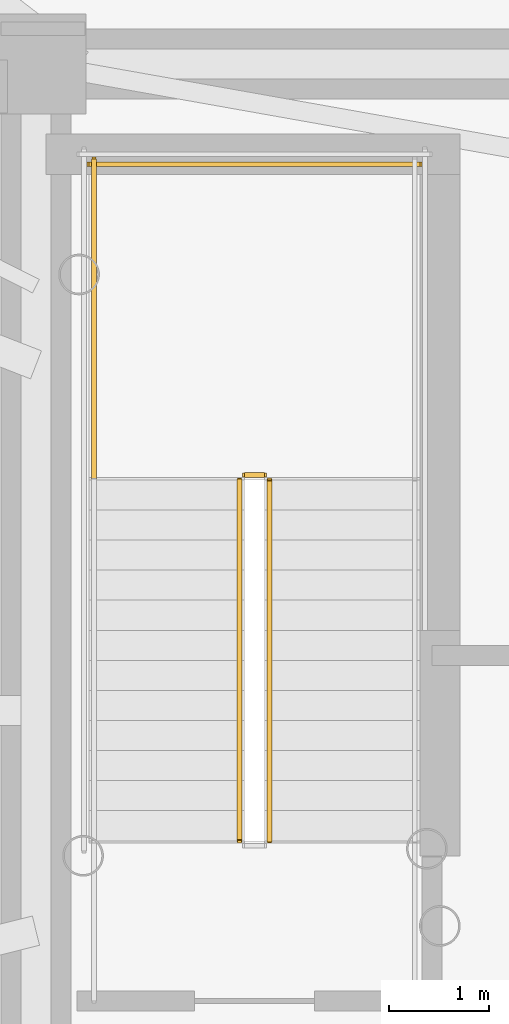
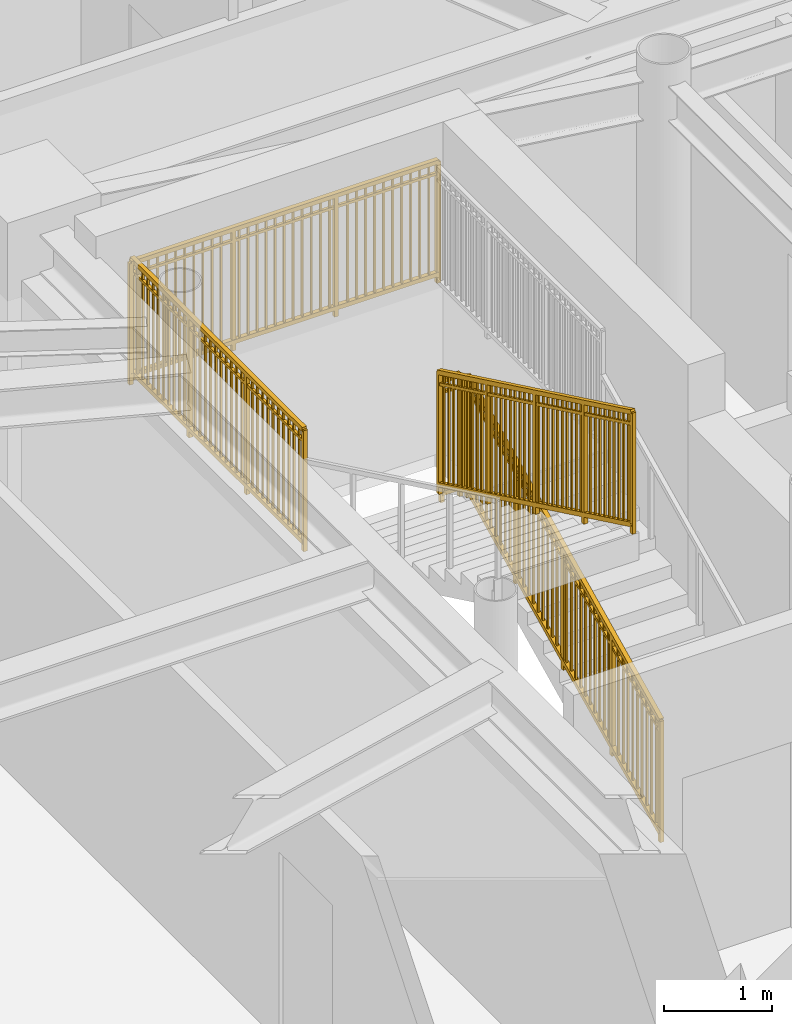
# One storey, part 14 of 17: 5 railings.
"""IFC4 building model written with IfcOpenShell, lengths in metres."""

import ifcopenshell
import ifcopenshell.guid

model = None  # the IFC model being written
_history = None  # IfcOwnerHistory: only IFC2X3 demands one
_inside = {}  # id of a spatial element -> (the spatial element, [elements in it])
_under = {}  # id of a project, library or spatial element -> (it, [spatial elements below it])
_declared = {}  # id of a project -> (the project, [libraries it declares])
_typed = {}  # id of a type object -> (the type object, [elements of that type])
_made_of = {}  # id of a material, layer set ... -> (it, [elements and type objects made of it])


def new_model(schema):
    """Start an empty IFC model of exactly this schema.

    Asked for "IFC4X3", IfcOpenShell would pick the latest addendum, in which some entities
    have other attributes; the version numbers below select the first issue.
    IFC2X3 requires an IfcOwnerHistory on every rooted entity: one is made here for all.
    """
    global model, _history
    if schema == "IFC4X3":
        model = ifcopenshell.file(schema_version=(4, 3, 0, 0))
    else:
        model = ifcopenshell.file(schema=schema)
    _inside.clear()
    _under.clear()
    _declared.clear()
    _typed.clear()
    _made_of.clear()
    _history = None
    if model.schema == "IFC2X3":
        org = make("IfcOrganization", Name="unknown")
        user = make(
            "IfcPersonAndOrganization",
            ThePerson=make("IfcPerson", FamilyName="unknown"),
            TheOrganization=org,
        )
        app = make(
            "IfcApplication",
            ApplicationDeveloper=org,
            Version="unknown",
            ApplicationFullName="unknown",
            ApplicationIdentifier="unknown",
        )
        _history = make(
            "IfcOwnerHistory",
            OwningUser=user,
            OwningApplication=app,
            ChangeAction="ADDED",
            CreationDate=0,
        )
    return model


def make(cls, **values):
    """One entity of the class cls with the attributes given. An attribute that is None is left unset."""
    return model.create_entity(
        cls, **{name: value for name, value in values.items() if value is not None}
    )


def rooted(cls, **values):
    """An entity with a GlobalId (a new one), such as an element, a storey or a relation."""
    return make(cls, GlobalId=ifcopenshell.guid.new(), OwnerHistory=_history, **values)


def si_unit(unit_type, name, prefix=None):
    """IfcSIUnit, for example si_unit("LENGTHUNIT", "METRE", prefix="MILLI")."""
    return make("IfcSIUnit", UnitType=unit_type, Prefix=prefix, Name=name)


def assignment(units):
    """IfcUnitAssignment: the units of a project."""
    return None if units is None else make("IfcUnitAssignment", Units=units)


def point(xyz):
    """IfcCartesianPoint."""
    return None if xyz is None else make("IfcCartesianPoint", Coordinates=xyz)


def direction(xyz):
    """IfcDirection."""
    return None if xyz is None else make("IfcDirection", DirectionRatios=xyz)


def frame(location, z_axis=None, x_axis=None):
    """IfcAxis2Placement3D, a coordinate frame: its origin and axes. An axis left out is left unset."""
    return make(
        "IfcAxis2Placement3D",
        Location=point(location),
        Axis=direction(z_axis),
        RefDirection=direction(x_axis),
    )


def frame_2d(location, x_axis=None):
    """IfcAxis2Placement2D, a coordinate frame in the plane: its origin and x axis."""
    return make(
        "IfcAxis2Placement2D", Location=point(location), RefDirection=direction(x_axis)
    )


def origin():
    """The frame at (0, 0, 0) with its axes left unset."""
    return frame((0.0, 0.0, 0.0))


def origin_2d():
    """The frame at (0, 0) in the plane with its x axis left unset."""
    return frame_2d((0.0, 0.0))


def place(relative_to, where):
    """IfcLocalPlacement: puts the frame where relative to a parent placement (None: the world)."""
    return make(
        "IfcLocalPlacement", PlacementRelTo=relative_to, RelativePlacement=where
    )


def context(
    kind, dimensions, precision=None, world=None, true_north=None, identifier=None
):
    """IfcGeometricRepresentationContext, for example the 3D "Model" context."""
    return make(
        "IfcGeometricRepresentationContext",
        ContextIdentifier=identifier,
        ContextType=kind,
        CoordinateSpaceDimension=dimensions,
        Precision=precision,
        WorldCoordinateSystem=world,
        TrueNorth=true_north,
    )


def subcontext(parent, identifier, kind, view, scale=None):
    """IfcGeometricRepresentationSubContext, for example "Body" below "Model"."""
    return make(
        "IfcGeometricRepresentationSubContext",
        ContextIdentifier=identifier,
        ContextType=kind,
        ParentContext=parent,
        TargetScale=scale,
        TargetView=view,
    )


def project(units=None, contexts=None):
    """IfcProject with its units and contexts."""
    return rooted(
        "IfcProject",
        Name="project",
        RepresentationContexts=contexts,
        UnitsInContext=assignment(units),
    )


def spatial(cls, under=None, at=None, **own):
    """A site, building, storey or space (cls), placed at a placement, below another one or the project."""
    s = rooted(cls, ObjectPlacement=at, **own)
    if under is not None:
        _under.setdefault(under.id(), (under, []))[1].append(s)
    return s


def profile(cls, at=None, kind="AREA", **sizes):
    """A parametric profile (cls). Its sizes go by their IFC names, for example OverallWidth=200.0."""
    return make(cls, ProfileType=kind, Position=at, **sizes)


def rectangle(**sizes):
    """IfcRectangleProfileDef."""
    return profile("IfcRectangleProfileDef", **sizes)


def extrude(swept, where, along, depth):
    """IfcExtrudedAreaSolid: the profile swept, set in the frame where, extruded along a direction by depth."""
    return make(
        "IfcExtrudedAreaSolid",
        SweptArea=swept,
        Position=where,
        ExtrudedDirection=direction(along),
        Depth=depth,
    )


def shape(context_of_items, identifier, shape_type, items):
    """IfcShapeRepresentation: the items that make up one representation, for example the "Body"."""
    return make(
        "IfcShapeRepresentation",
        ContextOfItems=context_of_items,
        RepresentationIdentifier=identifier,
        RepresentationType=shape_type,
        Items=items,
    )


def source(mapping_origin, context_of_items, identifier, shape_type, items):
    """IfcRepresentationMap: a shape defined once, which mapped items show again and again."""
    return make(
        "IfcRepresentationMap",
        MappingOrigin=mapping_origin,
        MappedRepresentation=shape(context_of_items, identifier, shape_type, items),
    )


def transform(
    local_origin,
    x_axis=None,
    y_axis=None,
    z_axis=None,
    scale=None,
    scale2=None,
    scale3=None,
    uniform=True,
):
    """IfcCartesianTransformationOperator3D, or its non-uniform kind. x_axis, y_axis, z_axis: its Axis1, 2, 3."""
    if uniform:
        return make(
            "IfcCartesianTransformationOperator3D",
            Axis1=direction(x_axis),
            Axis2=direction(y_axis),
            LocalOrigin=point(local_origin),
            Scale=scale,
            Axis3=direction(z_axis),
        )
    return make(
        "IfcCartesianTransformationOperator3DnonUniform",
        Axis1=direction(x_axis),
        Axis2=direction(y_axis),
        LocalOrigin=point(local_origin),
        Scale=scale,
        Axis3=direction(z_axis),
        Scale2=scale2,
        Scale3=scale3,
    )


def mapped(mapping_source, mapping_target):
    """IfcMappedItem: shows the shape of a source again, moved by a transform."""
    return make(
        "IfcMappedItem", MappingSource=mapping_source, MappingTarget=mapping_target
    )


def material(Name=None, Category=None):
    """IfcMaterial."""
    return make("IfcMaterial", Name=Name, Category=Category)


def made_of(thing, what):
    """Note that an element or type object is made of a material, layer set ...; save() writes the relation."""
    if what is not None:
        _made_of.setdefault(what.id(), (what, []))[1].append(thing)
    return thing


def type_object(cls, material=None, **own):
    """A type object (cls), such as IfcWallType, which elements share."""
    return made_of(rooted(cls, **own), material)


def element(
    cls,
    number,
    at=None,
    inside=None,
    cuts=None,
    type_object=None,
    material=None,
    context=None,
    identifier="Body",
    shape_type=None,
    held_by="IfcProductDefinitionShape",
    body=None,
    shapes=None,
    **own,
):
    """One element of the class cls, such as IfcWall. Its Tag is "e" and its number.

    at: its placement. inside: the storey or other place that contains it. cuts: it is an
    opening in that element (IfcRelVoidsElement). A single representation is given by context,
    identifier, shape_type and body (its items); several are given by shapes. held_by: the class
    of the entity that holds the representations. save() writes the other relations.
    """
    e = rooted(cls, Tag="e%d" % number, ObjectPlacement=at, **own)
    if body is not None:
        shapes = [shape(context, identifier, shape_type, body)]
    if shapes is not None:
        e.Representation = make(held_by, Representations=shapes)
    if inside is not None:
        _inside.setdefault(inside.id(), (inside, []))[1].append(e)
    if cuts is not None:
        rooted(
            "IfcRelVoidsElement", RelatingBuildingElement=cuts, RelatedOpeningElement=e
        )
    if type_object is not None:
        _typed.setdefault(type_object.id(), (type_object, []))[1].append(e)
    return made_of(e, material)


def aggregate(whole, parts):
    """IfcRelAggregates: a whole, such as a stair, and the parts it consists of."""
    return rooted("IfcRelAggregates", RelatingObject=whole, RelatedObjects=parts)


def save(model, path):
    """Write the relations noted so far, then the file.

    IfcRelAggregates (storeys below a building ...), IfcRelContainedInSpatialStructure (elements
    in a storey), IfcRelDefinesByType, IfcRelAssociatesMaterial and IfcRelDeclares: one each for
    every whole, place, type object, material and project.
    """
    for whole, parts in _under.values():
        aggregate(whole, parts)
    for where, things in _inside.values():
        rooted(
            "IfcRelContainedInSpatialStructure",
            RelatedElements=things,
            RelatingStructure=where,
        )
    for kind, things in _typed.values():
        rooted("IfcRelDefinesByType", RelatedObjects=things, RelatingType=kind)
    for what, things in _made_of.values():
        rooted("IfcRelAssociatesMaterial", RelatedObjects=things, RelatingMaterial=what)
    for by, libraries in _declared.values():
        rooted("IfcRelDeclares", RelatingContext=by, RelatedDefinitions=libraries)
    model.write(path)


model = new_model("IFC4")

# Units and contexts
model_context = context("Model", 3, precision=1e-05, world=origin(), true_north=direction((0.0, 1.0)))
body_context = subcontext(model_context, "Body", "Model", "MODEL_VIEW")
ifc_project = project(units=[si_unit("LENGTHUNIT", "METRE"), si_unit("AREAUNIT", "SQUARE_METRE"), si_unit("VOLUMEUNIT", "CUBIC_METRE"), si_unit("PLANEANGLEUNIT", "RADIAN"), si_unit("MASSUNIT", "GRAM", prefix="KILO")], contexts=[model_context])

# Site, building, storey
site_placement = place(None, origin())
site = spatial("IfcSite", under=ifc_project, at=site_placement, CompositionType="ELEMENT")
building_placement = place(site_placement, origin())
building = spatial("IfcBuilding", under=site, at=building_placement, Name="Linh Dai School and Residence Tower", CompositionType="ELEMENT")
storey_placement = place(building_placement, frame((0.0, 0.0, 280.5)))
storey = spatial("IfcBuildingStorey", under=building, at=storey_placement, Name="L69", CompositionType="ELEMENT", Elevation=280.5)

# Railings
ifc_material = material(Name="Structural Steel S355JR", Category="steel")
railing_type = type_object("IfcRailingType", Name="RL-ST-GUARD-1400", PredefinedType="GUARDRAIL", material=ifc_material)
shared_shape_1 = source(origin(), body_context, "Body", "SweptSolid", [
    extrude(rectangle(XDim=0.048095703125, YDim=0.048095703125, at=origin_2d()), frame((0.0, 0.0, 1.3759765625), z_axis=(-1.0, 0.0, 0.0), x_axis=(0.0, -1.0, 0.0)), (0.0, 0.0, 1.0), 0.199951171875),
    extrude(rectangle(XDim=0.048095703125, YDim=0.048095703125, at=origin_2d()), frame((0.0, 0.0, 0.10009765625), z_axis=(-1.0, 0.0, 0.0), x_axis=(0.0, -1.0, 0.0)), (0.0, 0.0, 1.0), 0.199951171875),
    extrude(rectangle(XDim=0.030029296875, YDim=0.030029296875, at=origin_2d()), frame((0.0, 0.0, 1.239990234375), z_axis=(-1.0, 0.0, 0.0), x_axis=(0.0, -1.0, 0.0)), (0.0, 0.0, 1.0), 0.199951171875),
    extrude(rectangle(XDim=0.0419921875, YDim=0.0419921875, at=origin_2d()), origin(), (0.0, 0.0, 1.0), 1.3759765625),
    extrude(rectangle(XDim=0.0419921875, YDim=0.0419921875, at=origin_2d()), frame((-0.199951171875, 0.0, 0.0)), (0.0, 0.0, 1.0), 1.3759765625),
])
railing_1_placement = place(storey_placement, frame((29.429931640625, 29.35009765625, 1.875)))
element("IfcRailing", 1, at=railing_1_placement, inside=storey, type_object=railing_type, Name="L69 ST1 stair guard 2", PredefinedType="GUARDRAIL", context=body_context, shape_type="MappedRepresentation", body=[
    mapped(shared_shape_1, transform((0.0, 0.0, 0.0), x_axis=(1.0, 0.0, 0.0), y_axis=(0.0, 1.0, 0.0), z_axis=(0.0, 0.0, 1.0), scale=1.0)),
])
shared_shape_2 = source(origin(), body_context, "Body", "SweptSolid", [
    extrude(rectangle(XDim=0.048095703125, YDim=0.048095703125, at=origin_2d()), frame((0.0, 0.0, 1.3759765625), z_axis=(-1.0, 0.0, 0.0), x_axis=(0.0, -1.0, 0.0)), (0.0, 0.0, 1.0), 3.300048828125),
    extrude(rectangle(XDim=0.048095703125, YDim=0.048095703125, at=origin_2d()), frame((0.0, 0.0, 0.10009765625), z_axis=(-1.0, 0.0, 0.0), x_axis=(0.0, -1.0, 0.0)), (0.0, 0.0, 1.0), 3.300048828125),
    extrude(rectangle(XDim=0.030029296875, YDim=0.030029296875, at=origin_2d()), frame((0.0, 0.0, 1.239990234375), z_axis=(-1.0, 0.0, 0.0), x_axis=(0.0, -1.0, 0.0)), (0.0, 0.0, 1.0), 3.300048828125),
    extrude(rectangle(XDim=0.02001953125, YDim=0.02001953125, at=origin_2d()), frame((-0.09716796875, 0.0, 0.10009765625)), (0.0, 0.0, 1.0), 1.251708984375),
    extrude(rectangle(XDim=0.02001953125, YDim=0.02001953125, at=origin_2d()), frame((-0.194091796875, 0.0, 0.10009765625)), (0.0, 0.0, 1.0), 1.251708984375),
    extrude(rectangle(XDim=0.02001953125, YDim=0.02001953125, at=origin_2d()), frame((-0.291259765625, 0.0, 0.10009765625)), (0.0, 0.0, 1.0), 1.251708984375),
    extrude(rectangle(XDim=0.02001953125, YDim=0.02001953125, at=origin_2d()), frame((-0.38818359375, 0.0, 0.10009765625)), (0.0, 0.0, 1.0), 1.251708984375),
    extrude(rectangle(XDim=0.02001953125, YDim=0.02001953125, at=origin_2d()), frame((-0.4853515625, 0.0, 0.10009765625)), (0.0, 0.0, 1.0), 1.251708984375),
    extrude(rectangle(XDim=0.02001953125, YDim=0.02001953125, at=origin_2d()), frame((-0.582275390625, 0.0, 0.10009765625)), (0.0, 0.0, 1.0), 1.251708984375),
    extrude(rectangle(XDim=0.02001953125, YDim=0.02001953125, at=origin_2d()), frame((-0.679443359375, 0.0, 0.10009765625)), (0.0, 0.0, 1.0), 1.251708984375),
    extrude(rectangle(XDim=0.02001953125, YDim=0.02001953125, at=origin_2d()), frame((-0.7763671875, 0.0, 0.10009765625)), (0.0, 0.0, 1.0), 1.251708984375),
    extrude(rectangle(XDim=0.02001953125, YDim=0.02001953125, at=origin_2d()), frame((-0.87353515625, 0.0, 0.10009765625)), (0.0, 0.0, 1.0), 1.251708984375),
    extrude(rectangle(XDim=0.02001953125, YDim=0.02001953125, at=origin_2d()), frame((-0.970703125, 0.0, 0.10009765625)), (0.0, 0.0, 1.0), 1.251708984375),
    extrude(rectangle(XDim=0.02001953125, YDim=0.02001953125, at=origin_2d()), frame((-1.164794921875, 0.0, 0.10009765625)), (0.0, 0.0, 1.0), 1.251708984375),
    extrude(rectangle(XDim=0.02001953125, YDim=0.02001953125, at=origin_2d()), frame((-1.26171875, 0.0, 0.10009765625)), (0.0, 0.0, 1.0), 1.251708984375),
    extrude(rectangle(XDim=0.02001953125, YDim=0.02001953125, at=origin_2d()), frame((-1.35888671875, 0.0, 0.10009765625)), (0.0, 0.0, 1.0), 1.251708984375),
    extrude(rectangle(XDim=0.02001953125, YDim=0.02001953125, at=origin_2d()), frame((-1.455810546875, 0.0, 0.10009765625)), (0.0, 0.0, 1.0), 1.251708984375),
    extrude(rectangle(XDim=0.02001953125, YDim=0.02001953125, at=origin_2d()), frame((-1.552978515625, 0.0, 0.10009765625)), (0.0, 0.0, 1.0), 1.251708984375),
    extrude(rectangle(XDim=0.02001953125, YDim=0.02001953125, at=origin_2d()), frame((-1.64990234375, 0.0, 0.10009765625)), (0.0, 0.0, 1.0), 1.251708984375),
    extrude(rectangle(XDim=0.02001953125, YDim=0.02001953125, at=origin_2d()), frame((-1.7470703125, 0.0, 0.10009765625)), (0.0, 0.0, 1.0), 1.251708984375),
    extrude(rectangle(XDim=0.02001953125, YDim=0.02001953125, at=origin_2d()), frame((-1.84423828125, 0.0, 0.10009765625)), (0.0, 0.0, 1.0), 1.251708984375),
    extrude(rectangle(XDim=0.02001953125, YDim=0.02001953125, at=origin_2d()), frame((-1.941162109375, 0.0, 0.10009765625)), (0.0, 0.0, 1.0), 1.251708984375),
    extrude(rectangle(XDim=0.02001953125, YDim=0.02001953125, at=origin_2d()), frame((-2.038330078125, 0.0, 0.10009765625)), (0.0, 0.0, 1.0), 1.251708984375),
    extrude(rectangle(XDim=0.02001953125, YDim=0.02001953125, at=origin_2d()), frame((-2.13525390625, 0.0, 0.10009765625)), (0.0, 0.0, 1.0), 1.251708984375),
    extrude(rectangle(XDim=0.02001953125, YDim=0.02001953125, at=origin_2d()), frame((-2.329345703125, 0.0, 0.10009765625)), (0.0, 0.0, 1.0), 1.251708984375),
    extrude(rectangle(XDim=0.02001953125, YDim=0.02001953125, at=origin_2d()), frame((-2.426513671875, 0.0, 0.10009765625)), (0.0, 0.0, 1.0), 1.251708984375),
    extrude(rectangle(XDim=0.02001953125, YDim=0.02001953125, at=origin_2d()), frame((-2.523681640625, 0.0, 0.10009765625)), (0.0, 0.0, 1.0), 1.251708984375),
    extrude(rectangle(XDim=0.02001953125, YDim=0.02001953125, at=origin_2d()), frame((-2.62060546875, 0.0, 0.10009765625)), (0.0, 0.0, 1.0), 1.251708984375),
    extrude(rectangle(XDim=0.02001953125, YDim=0.02001953125, at=origin_2d()), frame((-2.7177734375, 0.0, 0.10009765625)), (0.0, 0.0, 1.0), 1.251708984375),
    extrude(rectangle(XDim=0.02001953125, YDim=0.02001953125, at=origin_2d()), frame((-2.814697265625, 0.0, 0.10009765625)), (0.0, 0.0, 1.0), 1.251708984375),
    extrude(rectangle(XDim=0.02001953125, YDim=0.02001953125, at=origin_2d()), frame((-2.911865234375, 0.0, 0.10009765625)), (0.0, 0.0, 1.0), 1.251708984375),
    extrude(rectangle(XDim=0.02001953125, YDim=0.02001953125, at=origin_2d()), frame((-3.0087890625, 0.0, 0.10009765625)), (0.0, 0.0, 1.0), 1.251708984375),
    extrude(rectangle(XDim=0.02001953125, YDim=0.02001953125, at=origin_2d()), frame((-3.10595703125, 0.0, 0.10009765625)), (0.0, 0.0, 1.0), 1.251708984375),
    extrude(rectangle(XDim=0.02001953125, YDim=0.02001953125, at=origin_2d()), frame((-3.202880859375, 0.0, 0.10009765625)), (0.0, 0.0, 1.0), 1.251708984375),
    extrude(rectangle(XDim=0.0419921875, YDim=0.0419921875, at=origin_2d()), origin(), (0.0, 0.0, 1.0), 1.3759765625),
    extrude(rectangle(XDim=0.0419921875, YDim=0.0419921875, at=origin_2d()), frame((-1.10009765625, 0.0, 0.0)), (0.0, 0.0, 1.0), 1.3759765625),
    extrude(rectangle(XDim=0.0419921875, YDim=0.0419921875, at=origin_2d()), frame((-2.199951171875, 0.0, 0.0)), (0.0, 0.0, 1.0), 1.3759765625),
    extrude(rectangle(XDim=0.0419921875, YDim=0.0419921875, at=origin_2d()), frame((-3.300048828125, 0.0, 0.0)), (0.0, 0.0, 1.0), 1.3759765625),
])
railing_2_placement = place(storey_placement, frame((30.97998046875, 32.449951171875, 1.875)))
element("IfcRailing", 2, at=railing_2_placement, inside=storey, type_object=railing_type, Name="L69 ST1 stair guard 5", PredefinedType="GUARDRAIL", context=body_context, shape_type="MappedRepresentation", body=[
    mapped(shared_shape_2, transform((0.0, 0.0, 0.0), x_axis=(1.0, 0.0, 0.0), y_axis=(0.0, 1.0, 0.0), z_axis=(0.0, 0.0, 1.0), scale=1.0)),
])
shared_shape_3 = source(origin(), body_context, "Body", "SweptSolid", [
    extrude(rectangle(XDim=0.048095703125, YDim=0.048095703125, at=origin_2d()), frame((0.0, 0.0, 1.3759765625), z_axis=(0.0, 0.901262522062, 0.433273431364), x_axis=(-1.0, 0.0, 0.0)), (0.0, 0.0, 1.0), 3.994384765625),
    extrude(rectangle(XDim=0.048095703125, YDim=0.048095703125, at=origin_2d()), frame((0.0, 0.0, 0.10009765625), z_axis=(0.0, 0.901262522062, 0.433273431364), x_axis=(-1.0, 0.0, 0.0)), (0.0, 0.0, 1.0), 3.994384765625),
    extrude(rectangle(XDim=0.030029296875, YDim=0.030029296875, at=origin_2d()), frame((0.0, 0.0, 1.239990234375), z_axis=(0.0, 0.901262522062, 0.433273431364), x_axis=(-1.0, 0.0, 0.0)), (0.0, 0.0, 1.0), 3.994384765625),
    extrude(rectangle(XDim=0.02001953125, YDim=0.02001953125, at=origin_2d()), frame((0.0, 0.087890625, 0.142333984375)), (0.0, 0.0, 1.0), 1.251708984375),
    extrude(rectangle(XDim=0.02001953125, YDim=0.02001953125, at=origin_2d()), frame((0.0, 0.175537109375, 0.1845703125)), (0.0, 0.0, 1.0), 1.251708984375),
    extrude(rectangle(XDim=0.02001953125, YDim=0.02001953125, at=origin_2d()), frame((0.0, 0.263427734375, 0.226806640625)), (0.0, 0.0, 1.0), 1.251708984375),
    extrude(rectangle(XDim=0.02001953125, YDim=0.02001953125, at=origin_2d()), frame((0.0, 0.351318359375, 0.26904296875)), (0.0, 0.0, 1.0), 1.251708984375),
    extrude(rectangle(XDim=0.02001953125, YDim=0.02001953125, at=origin_2d()), frame((0.0, 0.43896484375, 0.311279296875)), (0.0, 0.0, 1.0), 1.251708984375),
    extrude(rectangle(XDim=0.02001953125, YDim=0.02001953125, at=origin_2d()), frame((0.0, 0.52685546875, 0.353271484375)), (0.0, 0.0, 1.0), 1.251708984375),
    extrude(rectangle(XDim=0.02001953125, YDim=0.02001953125, at=origin_2d()), frame((0.0, 0.61474609375, 0.3955078125)), (0.0, 0.0, 1.0), 1.251708984375),
    extrude(rectangle(XDim=0.02001953125, YDim=0.02001953125, at=origin_2d()), frame((0.0, 0.702392578125, 0.437744140625)), (0.0, 0.0, 1.0), 1.251708984375),
    extrude(rectangle(XDim=0.02001953125, YDim=0.02001953125, at=origin_2d()), frame((0.0, 0.790283203125, 0.47998046875)), (0.0, 0.0, 1.0), 1.251708984375),
    extrude(rectangle(XDim=0.02001953125, YDim=0.02001953125, at=origin_2d()), frame((0.0, 0.9658203125, 0.564453125)), (0.0, 0.0, 1.0), 1.251708984375),
    extrude(rectangle(XDim=0.02001953125, YDim=0.02001953125, at=origin_2d()), frame((0.0, 1.0537109375, 0.606689453125)), (0.0, 0.0, 1.0), 1.251708984375),
    extrude(rectangle(XDim=0.02001953125, YDim=0.02001953125, at=origin_2d()), frame((0.0, 1.1416015625, 0.64892578125)), (0.0, 0.0, 1.0), 1.251708984375),
    extrude(rectangle(XDim=0.02001953125, YDim=0.02001953125, at=origin_2d()), frame((0.0, 1.229248046875, 0.691162109375)), (0.0, 0.0, 1.0), 1.251708984375),
    extrude(rectangle(XDim=0.02001953125, YDim=0.02001953125, at=origin_2d()), frame((0.0, 1.317138671875, 0.7333984375)), (0.0, 0.0, 1.0), 1.251708984375),
    extrude(rectangle(XDim=0.02001953125, YDim=0.02001953125, at=origin_2d()), frame((0.0, 1.405029296875, 0.775390625)), (0.0, 0.0, 1.0), 1.251708984375),
    extrude(rectangle(XDim=0.02001953125, YDim=0.02001953125, at=origin_2d()), frame((0.0, 1.49267578125, 0.817626953125)), (0.0, 0.0, 1.0), 1.251708984375),
    extrude(rectangle(XDim=0.02001953125, YDim=0.02001953125, at=origin_2d()), frame((0.0, 1.58056640625, 0.85986328125)), (0.0, 0.0, 1.0), 1.251708984375),
    extrude(rectangle(XDim=0.02001953125, YDim=0.02001953125, at=origin_2d()), frame((0.0, 1.66845703125, 0.902099609375)), (0.0, 0.0, 1.0), 1.251708984375),
    extrude(rectangle(XDim=0.02001953125, YDim=0.02001953125, at=origin_2d()), frame((0.0, 1.756103515625, 0.9443359375)), (0.0, 0.0, 1.0), 1.251708984375),
    extrude(rectangle(XDim=0.02001953125, YDim=0.02001953125, at=origin_2d()), frame((0.0, 1.843994140625, 0.986572265625)), (0.0, 0.0, 1.0), 1.251708984375),
    extrude(rectangle(XDim=0.02001953125, YDim=0.02001953125, at=origin_2d()), frame((0.0, 1.931640625, 1.02880859375)), (0.0, 0.0, 1.0), 1.251708984375),
    extrude(rectangle(XDim=0.02001953125, YDim=0.02001953125, at=origin_2d()), frame((0.0, 2.01953125, 1.071044921875)), (0.0, 0.0, 1.0), 1.251708984375),
    extrude(rectangle(XDim=0.02001953125, YDim=0.02001953125, at=origin_2d()), frame((0.0, 2.107421875, 1.11328125)), (0.0, 0.0, 1.0), 1.251708984375),
    extrude(rectangle(XDim=0.02001953125, YDim=0.02001953125, at=origin_2d()), frame((0.0, 2.195068359375, 1.155517578125)), (0.0, 0.0, 1.0), 1.251708984375),
    extrude(rectangle(XDim=0.02001953125, YDim=0.02001953125, at=origin_2d()), frame((0.0, 2.282958984375, 1.197509765625)), (0.0, 0.0, 1.0), 1.251708984375),
    extrude(rectangle(XDim=0.02001953125, YDim=0.02001953125, at=origin_2d()), frame((0.0, 2.370849609375, 1.23974609375)), (0.0, 0.0, 1.0), 1.251708984375),
    extrude(rectangle(XDim=0.02001953125, YDim=0.02001953125, at=origin_2d()), frame((0.0, 2.45849609375, 1.281982421875)), (0.0, 0.0, 1.0), 1.251708984375),
    extrude(rectangle(XDim=0.02001953125, YDim=0.02001953125, at=origin_2d()), frame((0.0, 2.54638671875, 1.32421875)), (0.0, 0.0, 1.0), 1.251708984375),
    extrude(rectangle(XDim=0.02001953125, YDim=0.02001953125, at=origin_2d()), frame((0.0, 2.63427734375, 1.366455078125)), (0.0, 0.0, 1.0), 1.251708984375),
    extrude(rectangle(XDim=0.02001953125, YDim=0.02001953125, at=origin_2d()), frame((0.0, 2.809814453125, 1.450927734375)), (0.0, 0.0, 1.0), 1.251708984375),
    extrude(rectangle(XDim=0.02001953125, YDim=0.02001953125, at=origin_2d()), frame((0.0, 2.897705078125, 1.4931640625)), (0.0, 0.0, 1.0), 1.251708984375),
    extrude(rectangle(XDim=0.02001953125, YDim=0.02001953125, at=origin_2d()), frame((0.0, 2.9853515625, 1.535400390625)), (0.0, 0.0, 1.0), 1.251708984375),
    extrude(rectangle(XDim=0.02001953125, YDim=0.02001953125, at=origin_2d()), frame((0.0, 3.0732421875, 1.57763671875)), (0.0, 0.0, 1.0), 1.251708984375),
    extrude(rectangle(XDim=0.02001953125, YDim=0.02001953125, at=origin_2d()), frame((0.0, 3.1611328125, 1.61962890625)), (0.0, 0.0, 1.0), 1.251708984375),
    extrude(rectangle(XDim=0.02001953125, YDim=0.02001953125, at=origin_2d()), frame((0.0, 3.248779296875, 1.661865234375)), (0.0, 0.0, 1.0), 1.251708984375),
    extrude(rectangle(XDim=0.02001953125, YDim=0.02001953125, at=origin_2d()), frame((0.0, 3.336669921875, 1.7041015625)), (0.0, 0.0, 1.0), 1.251708984375),
    extrude(rectangle(XDim=0.02001953125, YDim=0.02001953125, at=origin_2d()), frame((0.0, 3.424560546875, 1.746337890625)), (0.0, 0.0, 1.0), 1.251708984375),
    extrude(rectangle(XDim=0.02001953125, YDim=0.02001953125, at=origin_2d()), frame((0.0, 3.51220703125, 1.78857421875)), (0.0, 0.0, 1.0), 1.251708984375),
    extrude(rectangle(XDim=0.0419921875, YDim=0.0419921875, at=origin_2d()), origin(), (0.0, 0.0, 1.0), 1.3759765625),
    extrude(rectangle(XDim=0.0419921875, YDim=0.0419921875, at=origin_2d()), frame((0.0, 0.89990234375, 0.4326171875)), (0.0, 0.0, 1.0), 1.3759765625),
    extrude(rectangle(XDim=0.0419921875, YDim=0.0419921875, at=origin_2d()), frame((0.0, 1.800048828125, 0.865234375)), (0.0, 0.0, 1.0), 1.3759765625),
    extrude(rectangle(XDim=0.0419921875, YDim=0.0419921875, at=origin_2d()), frame((0.0, 2.7001953125, 1.298095703125)), (0.0, 0.0, 1.0), 1.3759765625),
    extrude(rectangle(XDim=0.0419921875, YDim=0.0419921875, at=origin_2d()), frame((0.0, 3.60009765625, 1.730712890625)), (0.0, 0.0, 1.0), 1.3759765625),
])
railing_3_placement = place(storey_placement, frame((29.47998046875, 25.699951171875, 0.144287109375)))
element("IfcRailing", 3, at=railing_3_placement, inside=storey, type_object=railing_type, Name="L69 ST1 stair guard 1", PredefinedType="GUARDRAIL", context=body_context, shape_type="MappedRepresentation", body=[
    mapped(shared_shape_3, transform((0.0, 0.0, 0.0), x_axis=(1.0, 0.0, 0.0), y_axis=(0.0, 1.0, 0.0), z_axis=(0.0, 0.0, 1.0), scale=1.0)),
])
shared_shape_4 = source(origin(), body_context, "Body", "SweptSolid", [
    extrude(rectangle(XDim=0.048095703125, YDim=0.048095703125, at=origin_2d()), frame((0.0, 0.0, 1.3759765625), z_axis=(0.0, 1.0, 0.0), x_axis=(-1.0, 0.0, 0.0)), (0.0, 0.0, 1.0), 3.199951171875),
    extrude(rectangle(XDim=0.048095703125, YDim=0.048095703125, at=origin_2d()), frame((0.0, 0.0, 0.10009765625), z_axis=(0.0, 1.0, 0.0), x_axis=(-1.0, 0.0, 0.0)), (0.0, 0.0, 1.0), 3.199951171875),
    extrude(rectangle(XDim=0.030029296875, YDim=0.030029296875, at=origin_2d()), frame((0.0, 0.0, 1.239990234375), z_axis=(0.0, 1.0, 0.0), x_axis=(-1.0, 0.0, 0.0)), (0.0, 0.0, 1.0), 3.199951171875),
    extrude(rectangle(XDim=0.02001953125, YDim=0.02001953125, at=origin_2d()), frame((0.0, 0.096923828125, 0.10009765625)), (0.0, 0.0, 1.0), 1.251708984375),
    extrude(rectangle(XDim=0.02001953125, YDim=0.02001953125, at=origin_2d()), frame((0.0, 0.19384765625, 0.10009765625)), (0.0, 0.0, 1.0), 1.251708984375),
    extrude(rectangle(XDim=0.02001953125, YDim=0.02001953125, at=origin_2d()), frame((0.0, 0.291015625, 0.10009765625)), (0.0, 0.0, 1.0), 1.251708984375),
    extrude(rectangle(XDim=0.02001953125, YDim=0.02001953125, at=origin_2d()), frame((0.0, 0.387939453125, 0.10009765625)), (0.0, 0.0, 1.0), 1.251708984375),
    extrude(rectangle(XDim=0.02001953125, YDim=0.02001953125, at=origin_2d()), frame((0.0, 0.48486328125, 0.10009765625)), (0.0, 0.0, 1.0), 1.251708984375),
    extrude(rectangle(XDim=0.02001953125, YDim=0.02001953125, at=origin_2d()), frame((0.0, 0.581787109375, 0.10009765625)), (0.0, 0.0, 1.0), 1.251708984375),
    extrude(rectangle(XDim=0.02001953125, YDim=0.02001953125, at=origin_2d()), frame((0.0, 0.6787109375, 0.10009765625)), (0.0, 0.0, 1.0), 1.251708984375),
    extrude(rectangle(XDim=0.02001953125, YDim=0.02001953125, at=origin_2d()), frame((0.0, 0.775634765625, 0.10009765625)), (0.0, 0.0, 1.0), 1.251708984375),
    extrude(rectangle(XDim=0.02001953125, YDim=0.02001953125, at=origin_2d()), frame((0.0, 0.872802734375, 0.10009765625)), (0.0, 0.0, 1.0), 1.251708984375),
    extrude(rectangle(XDim=0.02001953125, YDim=0.02001953125, at=origin_2d()), frame((0.0, 0.9697265625, 0.10009765625)), (0.0, 0.0, 1.0), 1.251708984375),
    extrude(rectangle(XDim=0.02001953125, YDim=0.02001953125, at=origin_2d()), frame((0.0, 1.16357421875, 0.10009765625)), (0.0, 0.0, 1.0), 1.251708984375),
    extrude(rectangle(XDim=0.02001953125, YDim=0.02001953125, at=origin_2d()), frame((0.0, 1.260498046875, 0.10009765625)), (0.0, 0.0, 1.0), 1.251708984375),
    extrude(rectangle(XDim=0.02001953125, YDim=0.02001953125, at=origin_2d()), frame((0.0, 1.357666015625, 0.10009765625)), (0.0, 0.0, 1.0), 1.251708984375),
    extrude(rectangle(XDim=0.02001953125, YDim=0.02001953125, at=origin_2d()), frame((0.0, 1.45458984375, 0.10009765625)), (0.0, 0.0, 1.0), 1.251708984375),
    extrude(rectangle(XDim=0.02001953125, YDim=0.02001953125, at=origin_2d()), frame((0.0, 1.551513671875, 0.10009765625)), (0.0, 0.0, 1.0), 1.251708984375),
    extrude(rectangle(XDim=0.02001953125, YDim=0.02001953125, at=origin_2d()), frame((0.0, 1.6484375, 0.10009765625)), (0.0, 0.0, 1.0), 1.251708984375),
    extrude(rectangle(XDim=0.02001953125, YDim=0.02001953125, at=origin_2d()), frame((0.0, 1.745361328125, 0.10009765625)), (0.0, 0.0, 1.0), 1.251708984375),
    extrude(rectangle(XDim=0.02001953125, YDim=0.02001953125, at=origin_2d()), frame((0.0, 1.84228515625, 0.10009765625)), (0.0, 0.0, 1.0), 1.251708984375),
    extrude(rectangle(XDim=0.02001953125, YDim=0.02001953125, at=origin_2d()), frame((0.0, 1.939453125, 0.10009765625)), (0.0, 0.0, 1.0), 1.251708984375),
    extrude(rectangle(XDim=0.02001953125, YDim=0.02001953125, at=origin_2d()), frame((0.0, 2.036376953125, 0.10009765625)), (0.0, 0.0, 1.0), 1.251708984375),
    extrude(rectangle(XDim=0.02001953125, YDim=0.02001953125, at=origin_2d()), frame((0.0, 2.230224609375, 0.10009765625)), (0.0, 0.0, 1.0), 1.251708984375),
    extrude(rectangle(XDim=0.02001953125, YDim=0.02001953125, at=origin_2d()), frame((0.0, 2.3271484375, 0.10009765625)), (0.0, 0.0, 1.0), 1.251708984375),
    extrude(rectangle(XDim=0.02001953125, YDim=0.02001953125, at=origin_2d()), frame((0.0, 2.42431640625, 0.10009765625)), (0.0, 0.0, 1.0), 1.251708984375),
    extrude(rectangle(XDim=0.02001953125, YDim=0.02001953125, at=origin_2d()), frame((0.0, 2.521240234375, 0.10009765625)), (0.0, 0.0, 1.0), 1.251708984375),
    extrude(rectangle(XDim=0.02001953125, YDim=0.02001953125, at=origin_2d()), frame((0.0, 2.6181640625, 0.10009765625)), (0.0, 0.0, 1.0), 1.251708984375),
    extrude(rectangle(XDim=0.02001953125, YDim=0.02001953125, at=origin_2d()), frame((0.0, 2.715087890625, 0.10009765625)), (0.0, 0.0, 1.0), 1.251708984375),
    extrude(rectangle(XDim=0.02001953125, YDim=0.02001953125, at=origin_2d()), frame((0.0, 2.81201171875, 0.10009765625)), (0.0, 0.0, 1.0), 1.251708984375),
    extrude(rectangle(XDim=0.02001953125, YDim=0.02001953125, at=origin_2d()), frame((0.0, 2.908935546875, 0.10009765625)), (0.0, 0.0, 1.0), 1.251708984375),
    extrude(rectangle(XDim=0.02001953125, YDim=0.02001953125, at=origin_2d()), frame((0.0, 3.006103515625, 0.10009765625)), (0.0, 0.0, 1.0), 1.251708984375),
    extrude(rectangle(XDim=0.02001953125, YDim=0.02001953125, at=origin_2d()), frame((0.0, 3.10302734375, 0.10009765625)), (0.0, 0.0, 1.0), 1.251708984375),
    extrude(rectangle(XDim=0.0419921875, YDim=0.0419921875, at=origin_2d()), origin(), (0.0, 0.0, 1.0), 1.3759765625),
    extrude(rectangle(XDim=0.0419921875, YDim=0.0419921875, at=origin_2d()), frame((0.0, 1.066650390625, 0.0)), (0.0, 0.0, 1.0), 1.3759765625),
    extrude(rectangle(XDim=0.0419921875, YDim=0.0419921875, at=origin_2d()), frame((0.0, 2.13330078125, 0.0)), (0.0, 0.0, 1.0), 1.3759765625),
    extrude(rectangle(XDim=0.0419921875, YDim=0.0419921875, at=origin_2d()), frame((0.0, 3.199951171875, 0.0)), (0.0, 0.0, 1.0), 1.3759765625),
])
railing_4_placement = place(storey_placement, frame((27.72998046875, 29.300048828125, 1.875)))
element("IfcRailing", 4, at=railing_4_placement, inside=storey, type_object=railing_type, Name="L69 ST1 stair guard 4", PredefinedType="GUARDRAIL", context=body_context, shape_type="MappedRepresentation", body=[
    mapped(shared_shape_4, transform((0.0, 0.0, 0.0), x_axis=(1.0, 0.0, 0.0), y_axis=(0.0, 1.0, 0.0), z_axis=(0.0, 0.0, 1.0), scale=1.0)),
])
shared_shape_5 = source(origin(), body_context, "Body", "SweptSolid", [
    extrude(rectangle(XDim=0.048095703125, YDim=0.048095703125, at=origin_2d()), frame((0.0, 0.0, 1.3759765625), z_axis=(0.0, -0.901262522062, 0.433273431364), x_axis=(1.0, 0.0, 0.0)), (0.0, 0.0, 1.0), 3.994384765625),
    extrude(rectangle(XDim=0.048095703125, YDim=0.048095703125, at=origin_2d()), frame((0.0, 0.0, 0.10009765625), z_axis=(0.0, -0.901262522062, 0.433273431364), x_axis=(1.0, 0.0, 0.0)), (0.0, 0.0, 1.0), 3.994384765625),
    extrude(rectangle(XDim=0.030029296875, YDim=0.030029296875, at=origin_2d()), frame((0.0, 0.0, 1.239990234375), z_axis=(0.0, -0.901262522062, 0.433273431364), x_axis=(1.0, 0.0, 0.0)), (0.0, 0.0, 1.0), 3.994384765625),
    extrude(rectangle(XDim=0.02001953125, YDim=0.02001953125, at=origin_2d()), frame((0.0, -0.087890625, 0.142333984375)), (0.0, 0.0, 1.0), 1.251708984375),
    extrude(rectangle(XDim=0.02001953125, YDim=0.02001953125, at=origin_2d()), frame((0.0, -0.175537109375, 0.1845703125)), (0.0, 0.0, 1.0), 1.251708984375),
    extrude(rectangle(XDim=0.02001953125, YDim=0.02001953125, at=origin_2d()), frame((0.0, -0.263427734375, 0.226806640625)), (0.0, 0.0, 1.0), 1.251708984375),
    extrude(rectangle(XDim=0.02001953125, YDim=0.02001953125, at=origin_2d()), frame((0.0, -0.351318359375, 0.26904296875)), (0.0, 0.0, 1.0), 1.251708984375),
    extrude(rectangle(XDim=0.02001953125, YDim=0.02001953125, at=origin_2d()), frame((0.0, -0.43896484375, 0.311279296875)), (0.0, 0.0, 1.0), 1.251708984375),
    extrude(rectangle(XDim=0.02001953125, YDim=0.02001953125, at=origin_2d()), frame((0.0, -0.52685546875, 0.353271484375)), (0.0, 0.0, 1.0), 1.251708984375),
    extrude(rectangle(XDim=0.02001953125, YDim=0.02001953125, at=origin_2d()), frame((0.0, -0.61474609375, 0.3955078125)), (0.0, 0.0, 1.0), 1.251708984375),
    extrude(rectangle(XDim=0.02001953125, YDim=0.02001953125, at=origin_2d()), frame((0.0, -0.702392578125, 0.437744140625)), (0.0, 0.0, 1.0), 1.251708984375),
    extrude(rectangle(XDim=0.02001953125, YDim=0.02001953125, at=origin_2d()), frame((0.0, -0.790283203125, 0.47998046875)), (0.0, 0.0, 1.0), 1.251708984375),
    extrude(rectangle(XDim=0.02001953125, YDim=0.02001953125, at=origin_2d()), frame((0.0, -0.9658203125, 0.564453125)), (0.0, 0.0, 1.0), 1.251708984375),
    extrude(rectangle(XDim=0.02001953125, YDim=0.02001953125, at=origin_2d()), frame((0.0, -1.0537109375, 0.606689453125)), (0.0, 0.0, 1.0), 1.251708984375),
    extrude(rectangle(XDim=0.02001953125, YDim=0.02001953125, at=origin_2d()), frame((0.0, -1.1416015625, 0.64892578125)), (0.0, 0.0, 1.0), 1.251708984375),
    extrude(rectangle(XDim=0.02001953125, YDim=0.02001953125, at=origin_2d()), frame((0.0, -1.229248046875, 0.691162109375)), (0.0, 0.0, 1.0), 1.251708984375),
    extrude(rectangle(XDim=0.02001953125, YDim=0.02001953125, at=origin_2d()), frame((0.0, -1.317138671875, 0.7333984375)), (0.0, 0.0, 1.0), 1.251708984375),
    extrude(rectangle(XDim=0.02001953125, YDim=0.02001953125, at=origin_2d()), frame((0.0, -1.405029296875, 0.775390625)), (0.0, 0.0, 1.0), 1.251708984375),
    extrude(rectangle(XDim=0.02001953125, YDim=0.02001953125, at=origin_2d()), frame((0.0, -1.49267578125, 0.817626953125)), (0.0, 0.0, 1.0), 1.251708984375),
    extrude(rectangle(XDim=0.02001953125, YDim=0.02001953125, at=origin_2d()), frame((0.0, -1.58056640625, 0.85986328125)), (0.0, 0.0, 1.0), 1.251708984375),
    extrude(rectangle(XDim=0.02001953125, YDim=0.02001953125, at=origin_2d()), frame((0.0, -1.66845703125, 0.902099609375)), (0.0, 0.0, 1.0), 1.251708984375),
    extrude(rectangle(XDim=0.02001953125, YDim=0.02001953125, at=origin_2d()), frame((0.0, -1.756103515625, 0.9443359375)), (0.0, 0.0, 1.0), 1.251708984375),
    extrude(rectangle(XDim=0.02001953125, YDim=0.02001953125, at=origin_2d()), frame((0.0, -1.843994140625, 0.986572265625)), (0.0, 0.0, 1.0), 1.251708984375),
    extrude(rectangle(XDim=0.02001953125, YDim=0.02001953125, at=origin_2d()), frame((0.0, -1.931640625, 1.02880859375)), (0.0, 0.0, 1.0), 1.251708984375),
    extrude(rectangle(XDim=0.02001953125, YDim=0.02001953125, at=origin_2d()), frame((0.0, -2.01953125, 1.071044921875)), (0.0, 0.0, 1.0), 1.251708984375),
    extrude(rectangle(XDim=0.02001953125, YDim=0.02001953125, at=origin_2d()), frame((0.0, -2.107421875, 1.11328125)), (0.0, 0.0, 1.0), 1.251708984375),
    extrude(rectangle(XDim=0.02001953125, YDim=0.02001953125, at=origin_2d()), frame((0.0, -2.195068359375, 1.155517578125)), (0.0, 0.0, 1.0), 1.251708984375),
    extrude(rectangle(XDim=0.02001953125, YDim=0.02001953125, at=origin_2d()), frame((0.0, -2.282958984375, 1.197509765625)), (0.0, 0.0, 1.0), 1.251708984375),
    extrude(rectangle(XDim=0.02001953125, YDim=0.02001953125, at=origin_2d()), frame((0.0, -2.370849609375, 1.23974609375)), (0.0, 0.0, 1.0), 1.251708984375),
    extrude(rectangle(XDim=0.02001953125, YDim=0.02001953125, at=origin_2d()), frame((0.0, -2.45849609375, 1.281982421875)), (0.0, 0.0, 1.0), 1.251708984375),
    extrude(rectangle(XDim=0.02001953125, YDim=0.02001953125, at=origin_2d()), frame((0.0, -2.54638671875, 1.32421875)), (0.0, 0.0, 1.0), 1.251708984375),
    extrude(rectangle(XDim=0.02001953125, YDim=0.02001953125, at=origin_2d()), frame((0.0, -2.63427734375, 1.366455078125)), (0.0, 0.0, 1.0), 1.251708984375),
    extrude(rectangle(XDim=0.02001953125, YDim=0.02001953125, at=origin_2d()), frame((0.0, -2.809814453125, 1.450927734375)), (0.0, 0.0, 1.0), 1.251708984375),
    extrude(rectangle(XDim=0.02001953125, YDim=0.02001953125, at=origin_2d()), frame((0.0, -2.897705078125, 1.4931640625)), (0.0, 0.0, 1.0), 1.251708984375),
    extrude(rectangle(XDim=0.02001953125, YDim=0.02001953125, at=origin_2d()), frame((0.0, -2.9853515625, 1.535400390625)), (0.0, 0.0, 1.0), 1.251708984375),
    extrude(rectangle(XDim=0.02001953125, YDim=0.02001953125, at=origin_2d()), frame((0.0, -3.0732421875, 1.57763671875)), (0.0, 0.0, 1.0), 1.251708984375),
    extrude(rectangle(XDim=0.02001953125, YDim=0.02001953125, at=origin_2d()), frame((0.0, -3.1611328125, 1.61962890625)), (0.0, 0.0, 1.0), 1.251708984375),
    extrude(rectangle(XDim=0.02001953125, YDim=0.02001953125, at=origin_2d()), frame((0.0, -3.248779296875, 1.661865234375)), (0.0, 0.0, 1.0), 1.251708984375),
    extrude(rectangle(XDim=0.02001953125, YDim=0.02001953125, at=origin_2d()), frame((0.0, -3.336669921875, 1.7041015625)), (0.0, 0.0, 1.0), 1.251708984375),
    extrude(rectangle(XDim=0.02001953125, YDim=0.02001953125, at=origin_2d()), frame((0.0, -3.424560546875, 1.746337890625)), (0.0, 0.0, 1.0), 1.251708984375),
    extrude(rectangle(XDim=0.02001953125, YDim=0.02001953125, at=origin_2d()), frame((0.0, -3.51220703125, 1.78857421875)), (0.0, 0.0, 1.0), 1.251708984375),
    extrude(rectangle(XDim=0.0419921875, YDim=0.0419921875, at=origin_2d()), origin(), (0.0, 0.0, 1.0), 1.3759765625),
    extrude(rectangle(XDim=0.0419921875, YDim=0.0419921875, at=origin_2d()), frame((0.0, -0.89990234375, 0.4326171875)), (0.0, 0.0, 1.0), 1.3759765625),
    extrude(rectangle(XDim=0.0419921875, YDim=0.0419921875, at=origin_2d()), frame((0.0, -1.800048828125, 0.865234375)), (0.0, 0.0, 1.0), 1.3759765625),
    extrude(rectangle(XDim=0.0419921875, YDim=0.0419921875, at=origin_2d()), frame((0.0, -2.7001953125, 1.298095703125)), (0.0, 0.0, 1.0), 1.3759765625),
    extrude(rectangle(XDim=0.0419921875, YDim=0.0419921875, at=origin_2d()), frame((0.0, -3.60009765625, 1.730712890625)), (0.0, 0.0, 1.0), 1.3759765625),
])
railing_5_placement = place(storey_placement, frame((29.179931640625, 29.300048828125, 2.019287109375)))
element("IfcRailing", 5, at=railing_5_placement, inside=storey, type_object=railing_type, Name="L69 ST1 stair guard 6", PredefinedType="GUARDRAIL", context=body_context, shape_type="MappedRepresentation", body=[
    mapped(shared_shape_5, transform((0.0, 0.0, 0.0), x_axis=(1.0, 0.0, 0.0), y_axis=(0.0, 1.0, 0.0), z_axis=(0.0, 0.0, 1.0), scale=1.0)),
])

save(model, "model.ifc")
